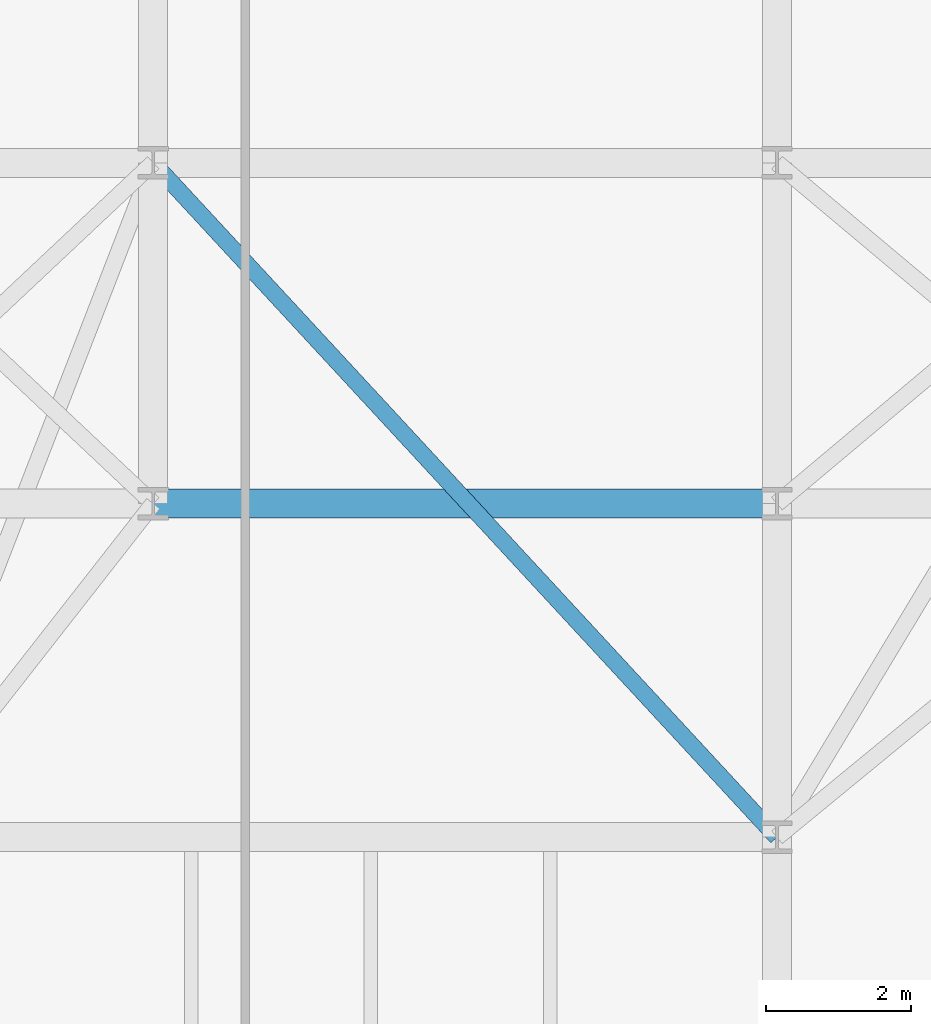
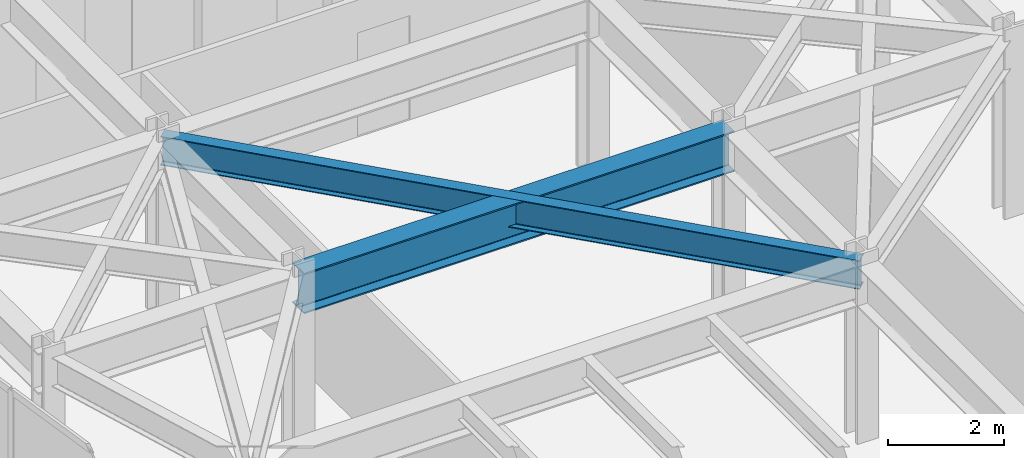
# One storey, part 10 of 26: 2 beams.
"""IFC4 building model written with IfcOpenShell, lengths in metres."""

from ifc_helpers import new_model, si_unit, direction, frame, origin, origin_2d, place, context, subcontext, project, spatial, i_section, extrude, material, material_profile, profile_set, type_object, element, save


model = new_model("IFC4")

# Units and contexts
model_context = context("Model", 3, precision=1e-05, world=origin(), true_north=direction((0.0, 1.0)))
body_context = subcontext(model_context, "Body", "Model", "MODEL_VIEW")
ifc_project = project(units=[si_unit("LENGTHUNIT", "METRE"), si_unit("AREAUNIT", "SQUARE_METRE"), si_unit("VOLUMEUNIT", "CUBIC_METRE"), si_unit("PLANEANGLEUNIT", "RADIAN"), si_unit("MASSUNIT", "GRAM", prefix="KILO")], contexts=[model_context])

# Site, building, storey
site_placement = place(None, origin())
site = spatial("IfcSite", under=ifc_project, at=site_placement, CompositionType="ELEMENT")
building_placement = place(site_placement, origin())
building = spatial("IfcBuilding", under=site, at=building_placement, Name="Kravanh Interchange Tower", CompositionType="ELEMENT")
storey_placement = place(building_placement, frame((0.0, 0.0, 128.0)))
storey = spatial("IfcBuildingStorey", under=building, at=storey_placement, Name="L30", CompositionType="ELEMENT", Elevation=128.0)

# Beams
ifc_material_1 = material(Name="Structural Steel S355", Category="steel")
ifc_material_profile_1 = material_profile(ifc_material_1, i_section(OverallWidth=0.39990234375, OverallDepth=0.85595703125, WebThickness=0.018310546875, FlangeThickness=0.029296875, FilletRadius=0.02490234375, at=origin_2d()), Name="W33X201")
ifc_profile_set_1 = profile_set([ifc_material_profile_1], Name="Structural Steel S355")
beam_type_1 = type_object("IfcBeamType", Name="Floor Beam W33X201 Structural Steel S355", PredefinedType="BEAM", material=ifc_profile_set_1)
beam_1_placement = place(storey_placement, frame((18.60009765625, 26.800048828125, 3.322021484375), z_axis=(1.0, 0.0, 0.0), x_axis=(0.0, 1.0, 0.0)))
element("IfcBeam", 1, at=beam_1_placement, inside=storey, type_object=beam_type_1, Name="L30 Primary Floor Girder 44", PredefinedType="BEAM", context=body_context, shape_type="SweptSolid", body=[
    extrude(i_section(OverallWidth=0.39990234375, OverallDepth=0.85595703125, WebThickness=0.018310546875, FlangeThickness=0.029296875, FilletRadius=0.02490234375, at=origin_2d()), origin(), (0.0, 0.0, 1.0), 8.599853515625),
])
ifc_material_2 = material(Name="Structural Steel S355", Category="steel")
ifc_material_profile_2 = material_profile(ifc_material_2, i_section(OverallWidth=0.22802734375, OverallDepth=0.60791015625, WebThickness=0.01123046875, FlangeThickness=0.017333984375, FilletRadius=0.02197265625, at=origin_2d()), Name="W24X76")
ifc_profile_set_2 = profile_set([ifc_material_profile_2], Name="Structural Steel S355")
beam_type_2 = type_object("IfcBeamType", Name="Floor Spandrel W24X76 Structural Steel S355", PredefinedType="SPANDREL", material=ifc_profile_set_2)
beam_2_placement = place(storey_placement, frame((18.60009765625, 31.5, 3.446044921875), z_axis=(0.678927458783, -0.734205356634, 0.0), x_axis=(0.734205356634, 0.678927458783, 0.0)))
element("IfcBeam", 2, at=beam_2_placement, inside=storey, type_object=beam_type_2, Name="L30 Perimeter Spandrel 73", PredefinedType="SPANDREL", context=body_context, shape_type="SweptSolid", body=[
    extrude(i_section(OverallWidth=0.22802734375, OverallDepth=0.60791015625, WebThickness=0.01123046875, FlangeThickness=0.017333984375, FilletRadius=0.02197265625, at=origin_2d()), origin(), (0.0, 0.0, 1.0), 12.666748046875),
])

save(model, "model.ifc")
